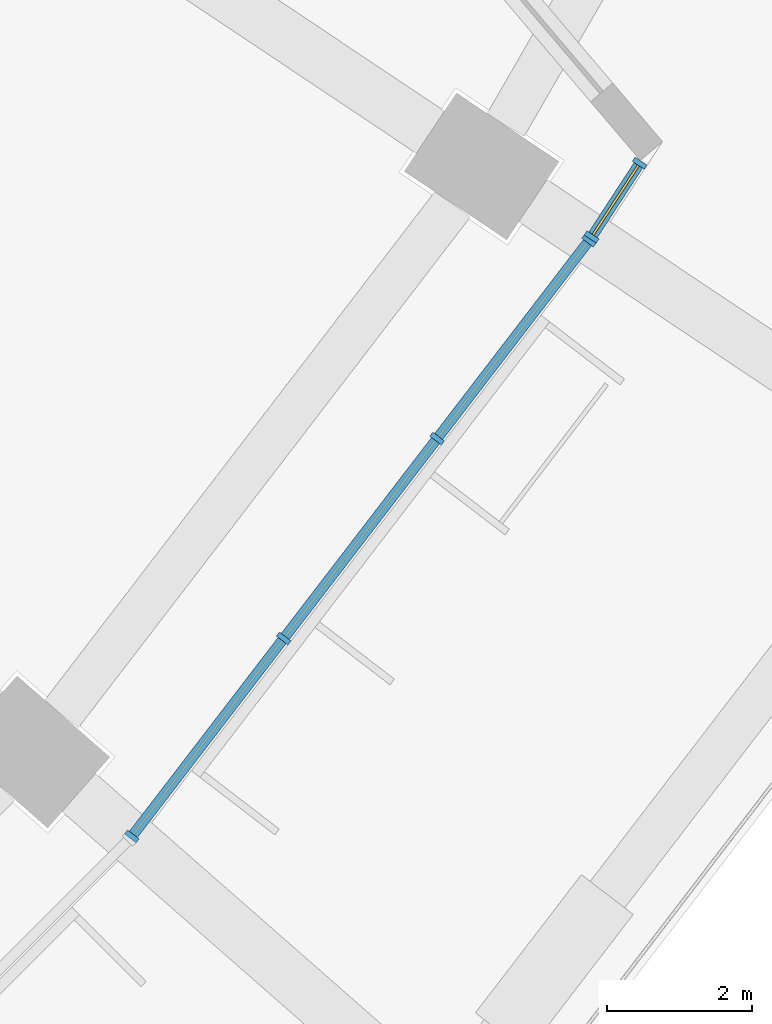
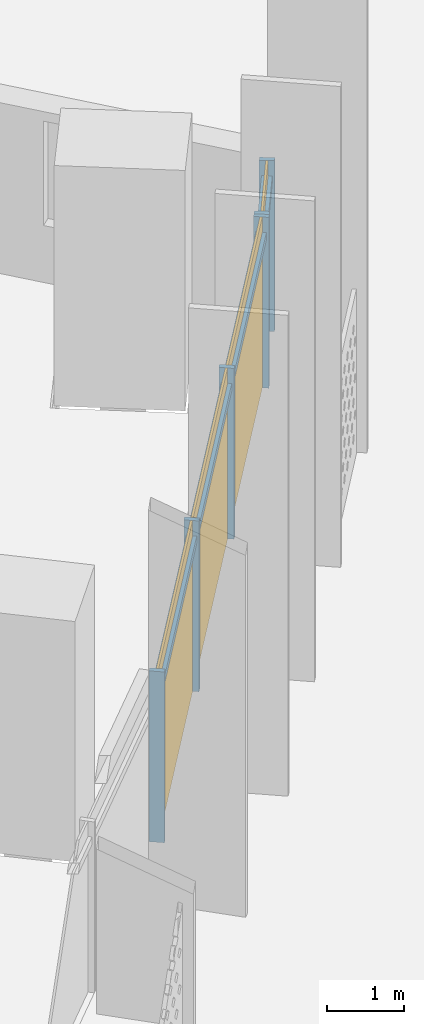
# One storey, part 23 of 35: 10 members, 2 curtain walls.
"""IFC4 building model written with IfcOpenShell, lengths in metres."""

import ifcopenshell
import ifcopenshell.guid

model = None  # the IFC model being written
_history = None  # IfcOwnerHistory: only IFC2X3 demands one
_inside = {}  # id of a spatial element -> (the spatial element, [elements in it])
_under = {}  # id of a project, library or spatial element -> (it, [spatial elements below it])
_declared = {}  # id of a project -> (the project, [libraries it declares])
_typed = {}  # id of a type object -> (the type object, [elements of that type])
_made_of = {}  # id of a material, layer set ... -> (it, [elements and type objects made of it])


def new_model(schema):
    """Start an empty IFC model of exactly this schema.

    Asked for "IFC4X3", IfcOpenShell would pick the latest addendum, in which some entities
    have other attributes; the version numbers below select the first issue.
    IFC2X3 requires an IfcOwnerHistory on every rooted entity: one is made here for all.
    """
    global model, _history
    if schema == "IFC4X3":
        model = ifcopenshell.file(schema_version=(4, 3, 0, 0))
    else:
        model = ifcopenshell.file(schema=schema)
    _inside.clear()
    _under.clear()
    _declared.clear()
    _typed.clear()
    _made_of.clear()
    _history = None
    if model.schema == "IFC2X3":
        org = make("IfcOrganization", Name="unknown")
        user = make(
            "IfcPersonAndOrganization",
            ThePerson=make("IfcPerson", FamilyName="unknown"),
            TheOrganization=org,
        )
        app = make(
            "IfcApplication",
            ApplicationDeveloper=org,
            Version="unknown",
            ApplicationFullName="unknown",
            ApplicationIdentifier="unknown",
        )
        _history = make(
            "IfcOwnerHistory",
            OwningUser=user,
            OwningApplication=app,
            ChangeAction="ADDED",
            CreationDate=0,
        )
    return model


def make(cls, **values):
    """One entity of the class cls with the attributes given. An attribute that is None is left unset."""
    return model.create_entity(
        cls, **{name: value for name, value in values.items() if value is not None}
    )


def rooted(cls, **values):
    """An entity with a GlobalId (a new one), such as an element, a storey or a relation."""
    return make(cls, GlobalId=ifcopenshell.guid.new(), OwnerHistory=_history, **values)


def si_unit(unit_type, name, prefix=None):
    """IfcSIUnit, for example si_unit("LENGTHUNIT", "METRE", prefix="MILLI")."""
    return make("IfcSIUnit", UnitType=unit_type, Prefix=prefix, Name=name)


def assignment(units):
    """IfcUnitAssignment: the units of a project."""
    return None if units is None else make("IfcUnitAssignment", Units=units)


def point(xyz):
    """IfcCartesianPoint."""
    return None if xyz is None else make("IfcCartesianPoint", Coordinates=xyz)


def direction(xyz):
    """IfcDirection."""
    return None if xyz is None else make("IfcDirection", DirectionRatios=xyz)


def frame(location, z_axis=None, x_axis=None):
    """IfcAxis2Placement3D, a coordinate frame: its origin and axes. An axis left out is left unset."""
    return make(
        "IfcAxis2Placement3D",
        Location=point(location),
        Axis=direction(z_axis),
        RefDirection=direction(x_axis),
    )


def frame_2d(location, x_axis=None):
    """IfcAxis2Placement2D, a coordinate frame in the plane: its origin and x axis."""
    return make(
        "IfcAxis2Placement2D", Location=point(location), RefDirection=direction(x_axis)
    )


def origin():
    """The frame at (0, 0, 0) with its axes left unset."""
    return frame((0.0, 0.0, 0.0))


def origin_2d():
    """The frame at (0, 0) in the plane with its x axis left unset."""
    return frame_2d((0.0, 0.0))


def place(relative_to, where):
    """IfcLocalPlacement: puts the frame where relative to a parent placement (None: the world)."""
    return make(
        "IfcLocalPlacement", PlacementRelTo=relative_to, RelativePlacement=where
    )


def context(
    kind, dimensions, precision=None, world=None, true_north=None, identifier=None
):
    """IfcGeometricRepresentationContext, for example the 3D "Model" context."""
    return make(
        "IfcGeometricRepresentationContext",
        ContextIdentifier=identifier,
        ContextType=kind,
        CoordinateSpaceDimension=dimensions,
        Precision=precision,
        WorldCoordinateSystem=world,
        TrueNorth=true_north,
    )


def subcontext(parent, identifier, kind, view, scale=None):
    """IfcGeometricRepresentationSubContext, for example "Body" below "Model"."""
    return make(
        "IfcGeometricRepresentationSubContext",
        ContextIdentifier=identifier,
        ContextType=kind,
        ParentContext=parent,
        TargetScale=scale,
        TargetView=view,
    )


def project(units=None, contexts=None):
    """IfcProject with its units and contexts."""
    return rooted(
        "IfcProject",
        Name="project",
        RepresentationContexts=contexts,
        UnitsInContext=assignment(units),
    )


def spatial(cls, under=None, at=None, **own):
    """A site, building, storey or space (cls), placed at a placement, below another one or the project."""
    s = rooted(cls, ObjectPlacement=at, **own)
    if under is not None:
        _under.setdefault(under.id(), (under, []))[1].append(s)
    return s


def profile(cls, at=None, kind="AREA", **sizes):
    """A parametric profile (cls). Its sizes go by their IFC names, for example OverallWidth=200.0."""
    return make(cls, ProfileType=kind, Position=at, **sizes)


def rectangle(**sizes):
    """IfcRectangleProfileDef."""
    return profile("IfcRectangleProfileDef", **sizes)


def extrude(swept, where, along, depth):
    """IfcExtrudedAreaSolid: the profile swept, set in the frame where, extruded along a direction by depth."""
    return make(
        "IfcExtrudedAreaSolid",
        SweptArea=swept,
        Position=where,
        ExtrudedDirection=direction(along),
        Depth=depth,
    )


def shape(context_of_items, identifier, shape_type, items):
    """IfcShapeRepresentation: the items that make up one representation, for example the "Body"."""
    return make(
        "IfcShapeRepresentation",
        ContextOfItems=context_of_items,
        RepresentationIdentifier=identifier,
        RepresentationType=shape_type,
        Items=items,
    )


def material(Name=None, Category=None):
    """IfcMaterial."""
    return make("IfcMaterial", Name=Name, Category=Category)


def material_profile(
    of_material, cross_section, Name=None, Category=None, Priority=None
):
    """IfcMaterialProfile: a cross section and its material."""
    return make(
        "IfcMaterialProfile",
        Name=Name,
        Material=of_material,
        Profile=cross_section,
        Priority=Priority,
        Category=Category,
    )


def profile_set(profiles, Name=None, composite=None):
    """IfcMaterialProfileSet."""
    return make(
        "IfcMaterialProfileSet",
        Name=Name,
        MaterialProfiles=profiles,
        CompositeProfile=composite,
    )


def made_of(thing, what):
    """Note that an element or type object is made of a material, layer set ...; save() writes the relation."""
    if what is not None:
        _made_of.setdefault(what.id(), (what, []))[1].append(thing)
    return thing


def type_object(cls, material=None, **own):
    """A type object (cls), such as IfcWallType, which elements share."""
    return made_of(rooted(cls, **own), material)


def element(
    cls,
    number,
    at=None,
    inside=None,
    cuts=None,
    type_object=None,
    material=None,
    context=None,
    identifier="Body",
    shape_type=None,
    held_by="IfcProductDefinitionShape",
    body=None,
    shapes=None,
    **own,
):
    """One element of the class cls, such as IfcWall. Its Tag is "e" and its number.

    at: its placement. inside: the storey or other place that contains it. cuts: it is an
    opening in that element (IfcRelVoidsElement). A single representation is given by context,
    identifier, shape_type and body (its items); several are given by shapes. held_by: the class
    of the entity that holds the representations. save() writes the other relations.
    """
    e = rooted(cls, Tag="e%d" % number, ObjectPlacement=at, **own)
    if body is not None:
        shapes = [shape(context, identifier, shape_type, body)]
    if shapes is not None:
        e.Representation = make(held_by, Representations=shapes)
    if inside is not None:
        _inside.setdefault(inside.id(), (inside, []))[1].append(e)
    if cuts is not None:
        rooted(
            "IfcRelVoidsElement", RelatingBuildingElement=cuts, RelatedOpeningElement=e
        )
    if type_object is not None:
        _typed.setdefault(type_object.id(), (type_object, []))[1].append(e)
    return made_of(e, material)


def aggregate(whole, parts):
    """IfcRelAggregates: a whole, such as a stair, and the parts it consists of."""
    return rooted("IfcRelAggregates", RelatingObject=whole, RelatedObjects=parts)


def save(model, path):
    """Write the relations noted so far, then the file.

    IfcRelAggregates (storeys below a building ...), IfcRelContainedInSpatialStructure (elements
    in a storey), IfcRelDefinesByType, IfcRelAssociatesMaterial and IfcRelDeclares: one each for
    every whole, place, type object, material and project.
    """
    for whole, parts in _under.values():
        aggregate(whole, parts)
    for where, things in _inside.values():
        rooted(
            "IfcRelContainedInSpatialStructure",
            RelatedElements=things,
            RelatingStructure=where,
        )
    for kind, things in _typed.values():
        rooted("IfcRelDefinesByType", RelatedObjects=things, RelatingType=kind)
    for what, things in _made_of.values():
        rooted("IfcRelAssociatesMaterial", RelatedObjects=things, RelatingMaterial=what)
    for by, libraries in _declared.values():
        rooted("IfcRelDeclares", RelatingContext=by, RelatedDefinitions=libraries)
    model.write(path)


model = new_model("IFC4")

# Units and contexts
model_context = context("Model", 3, precision=1e-05, world=origin(), true_north=direction((0.0, 1.0)))
body_context = subcontext(model_context, "Body", "Model", "MODEL_VIEW")
ifc_project = project(units=[si_unit("LENGTHUNIT", "METRE"), si_unit("AREAUNIT", "SQUARE_METRE"), si_unit("VOLUMEUNIT", "CUBIC_METRE"), si_unit("PLANEANGLEUNIT", "RADIAN"), si_unit("MASSUNIT", "GRAM", prefix="KILO")], contexts=[model_context])

# Member
ifc_material = material(Name="Aluminium 6063-T6 anodised", Category="aluminium")
ifc_material_profile_1 = material_profile(ifc_material, rectangle(XDim=0.199951171875, YDim=0.070068359375, at=origin_2d()))
ifc_profile_set_1 = profile_set([ifc_material_profile_1], Name="Aluminium 6063-T6 anodised")
member_type_1 = type_object("IfcMemberType", Name="Mullion 70 x 200 aluminium", PredefinedType="MULLION", material=ifc_profile_set_1)
site_placement = place(None, origin())
building_placement = place(site_placement, origin())
storey_placement = place(building_placement, frame((0.0, 0.0, 40.5)))
member_1_placement = place(storey_placement, frame((59.825927734375, -52.42822265625, 0.0), z_axis=(0.0, 0.0, 1.0), x_axis=(-0.793353340291, 0.608761429009, 0.0)))
member_1 = element("IfcMember", 1, at=member_1_placement, type_object=member_type_1, Name="e-cw1-L06-out15/M00", PredefinedType="MULLION", context=body_context, shape_type="SweptSolid", body=[
    extrude(rectangle(XDim=0.199951171875, YDim=0.070068359375, at=origin_2d()), origin(), (0.0, 0.0, 1.0), 2.699951171875),
])

member_2_placement = place(storey_placement, frame((61.9189453125, -49.70068359375, 0.0), z_axis=(0.0, 0.0, 1.0), x_axis=(-0.793353340291, 0.608761429009, 0.0)))
member_2 = element("IfcMember", 2, at=member_2_placement, type_object=member_type_1, Name="e-cw1-L06-out15/M01", PredefinedType="MULLION", context=body_context, shape_type="SweptSolid", body=[
    extrude(rectangle(XDim=0.199951171875, YDim=0.070068359375, at=origin_2d()), origin(), (0.0, 0.0, 1.0), 2.699951171875),
])

member_3_placement = place(storey_placement, frame((64.032958984375, -46.945556640625, 0.0), z_axis=(0.0, 0.0, 1.0), x_axis=(-0.793353340291, 0.608761429009, 0.0)))
member_3 = element("IfcMember", 3, at=member_3_placement, type_object=member_type_1, Name="e-cw1-L06-out15/M02", PredefinedType="MULLION", context=body_context, shape_type="SweptSolid", body=[
    extrude(rectangle(XDim=0.199951171875, YDim=0.070068359375, at=origin_2d()), origin(), (0.0, 0.0, 1.0), 2.699951171875),
])

member_4_placement = place(storey_placement, frame((66.1259765625, -44.218017578125, 0.0), z_axis=(0.0, 0.0, 1.0), x_axis=(-0.793353340291, 0.608761429009, 0.0)))
member_4 = element("IfcMember", 4, at=member_4_placement, type_object=member_type_1, Name="e-cw1-L06-out15/M03", PredefinedType="MULLION", context=body_context, shape_type="SweptSolid", body=[
    extrude(rectangle(XDim=0.199951171875, YDim=0.070068359375, at=origin_2d()), origin(), (0.0, 0.0, 1.0), 2.699951171875),
])

member_5_placement = place(storey_placement, frame((66.161865234375, -44.167236328125, 0.0), z_axis=(0.0, 0.0, 1.0), x_axis=(-0.837241833838, 0.546832800472, 0.0)))
member_5 = element("IfcMember", 5, at=member_5_placement, type_object=member_type_1, Name="e-cw1-L06-out16/M00", PredefinedType="MULLION", context=body_context, shape_type="SweptSolid", body=[
    extrude(rectangle(XDim=0.199951171875, YDim=0.070068359375, at=origin_2d()), origin(), (0.0, 0.0, 1.0), 2.699951171875),
])

member_6_placement = place(storey_placement, frame((66.825439453125, -43.1513671875, 0.0), z_axis=(0.0, 0.0, 1.0), x_axis=(-0.837241833838, 0.546832800472, 0.0)))
member_6 = element("IfcMember", 6, at=member_6_placement, type_object=member_type_1, Name="e-cw1-L06-out16/M01", PredefinedType="MULLION", context=body_context, shape_type="SweptSolid", body=[
    extrude(rectangle(XDim=0.199951171875, YDim=0.070068359375, at=origin_2d()), origin(), (0.0, 0.0, 1.0), 2.699951171875),
])

ifc_material_profile_2 = material_profile(ifc_material, rectangle(XDim=0.139892578125, YDim=0.1201171875, at=origin_2d()))
ifc_profile_set_2 = profile_set([ifc_material_profile_2], Name="Aluminium 6063-T6 anodised")
member_type_2 = type_object("IfcMemberType", Name="Transom 120 x 140 aluminium", PredefinedType="USERDEFINED", material=ifc_profile_set_2)
member_7_placement = place(storey_placement, frame((59.847412109375, -52.400390625, 2.39990234375), z_axis=(0.608732839803, 0.793375276742, 0.0), x_axis=(-0.793375276742, 0.608732839803, 0.0)))
member_7 = element("IfcMember", 7, at=member_7_placement, type_object=member_type_2, Name="e-cw1-L06-out15/T00", ObjectType="TRANSOM", PredefinedType="USERDEFINED", context=body_context, shape_type="SweptSolid", body=[
    extrude(rectangle(XDim=0.139892578125, YDim=0.1201171875, at=origin_2d()), origin(), (0.0, 0.0, 1.0), 3.36767578125),
])

member_8_placement = place(storey_placement, frame((61.940185546875, -49.673095703125, 2.39990234375), z_axis=(0.60875683052, 0.793356868815, 0.0), x_axis=(-0.793356868815, 0.60875683052, 0.0)))
member_8 = element("IfcMember", 8, at=member_8_placement, type_object=member_type_2, Name="e-cw1-L06-out15/T01", ObjectType="TRANSOM", PredefinedType="USERDEFINED", context=body_context, shape_type="SweptSolid", body=[
    extrude(rectangle(XDim=0.139892578125, YDim=0.1201171875, at=origin_2d()), origin(), (0.0, 0.0, 1.0), 3.40283203125),
])

member_9_placement = place(storey_placement, frame((64.054443359375, -46.917724609375, 2.39990234375), z_axis=(0.608732839803, 0.793375276742, 0.0), x_axis=(-0.793375276742, 0.608732839803, 0.0)))
member_9 = element("IfcMember", 9, at=member_9_placement, type_object=member_type_2, Name="e-cw1-L06-out15/T02", ObjectType="TRANSOM", PredefinedType="USERDEFINED", context=body_context, shape_type="SweptSolid", body=[
    extrude(rectangle(XDim=0.139892578125, YDim=0.1201171875, at=origin_2d()), origin(), (0.0, 0.0, 1.0), 3.36767578125),
])

member_10_placement = place(storey_placement, frame((66.18115234375, -44.137939453125, 2.39990234375), z_axis=(0.546691131279, 0.837334345994, 0.0), x_axis=(-0.837334345994, 0.546691131279, 0.0)))
member_10 = element("IfcMember", 10, at=member_10_placement, type_object=member_type_2, Name="e-cw1-L06-out16/T00", ObjectType="TRANSOM", PredefinedType="USERDEFINED", context=body_context, shape_type="SweptSolid", body=[
    extrude(rectangle(XDim=0.139892578125, YDim=0.1201171875, at=origin_2d()), origin(), (0.0, 0.0, 1.0), 1.143310546875),
])

# Site, building, storey
site = spatial("IfcSite", under=ifc_project, at=site_placement, CompositionType="ELEMENT")
building = spatial("IfcBuilding", under=site, at=building_placement, Name="Qamariyya Broadcast Tower", CompositionType="ELEMENT")
storey = spatial("IfcBuildingStorey", under=building, at=storey_placement, Name="L06", CompositionType="ELEMENT", Elevation=40.5)

# Curtain wall
curtain_wall_type = type_object("IfcCurtainWallType", Name="Unitised curtain wall, anodised aluminium", PredefinedType="NOTDEFINED", material=ifc_material)
curtain_wall_1_placement = place(storey_placement, origin())
curtain_wall_1 = element("IfcCurtainWall", 11, at=curtain_wall_1_placement, inside=storey, type_object=curtain_wall_type, Name="e-cw1-L06-out15", PredefinedType="NOTDEFINED", context=body_context, shape_type="SweptSolid", body=[
    extrude(rectangle(XDim=3.367919921875, YDim=0.031982421875, at=origin_2d()), frame((60.872314453125, -51.064453125, 0.0), x_axis=(0.608755679475, 0.79335775203, 0.0)), (0.0, 0.0, 1.0), 2.340087890625),
    extrude(rectangle(XDim=3.367919921875, YDim=0.031982421875, at=origin_2d()), frame((60.872314453125, -51.064453125, 2.4599609375), x_axis=(0.608755679475, 0.79335775203, 0.0)), (0.0, 0.0, 1.0), 0.239990234375),
    extrude(rectangle(XDim=3.40283203125, YDim=0.031982421875, at=origin_2d()), frame((62.97607421875, -48.3232421875, 0.0), x_axis=(0.608755679475, 0.79335775203, 0.0)), (0.0, 0.0, 1.0), 2.340087890625),
    extrude(rectangle(XDim=3.40283203125, YDim=0.031982421875, at=origin_2d()), frame((62.97607421875, -48.3232421875, 2.4599609375), x_axis=(0.608755679475, 0.79335775203, 0.0)), (0.0, 0.0, 1.0), 0.239990234375),
    extrude(rectangle(XDim=3.367919921875, YDim=0.031982421875, at=origin_2d()), frame((65.07958984375, -45.581787109375, 0.0), x_axis=(0.608755679475, 0.79335775203, 0.0)), (0.0, 0.0, 1.0), 2.340087890625),
    extrude(rectangle(XDim=3.367919921875, YDim=0.031982421875, at=origin_2d()), frame((65.07958984375, -45.581787109375, 2.4599609375), x_axis=(0.608755679475, 0.79335775203, 0.0)), (0.0, 0.0, 1.0), 0.239990234375),
])

aggregate(curtain_wall_1, [member_1, member_2, member_3, member_4, member_7, member_8, member_9])

curtain_wall_2_placement = place(storey_placement, origin())
curtain_wall_2 = element("IfcCurtainWall", 12, at=curtain_wall_2_placement, inside=storey, type_object=curtain_wall_type, Name="e-cw1-L06-out16", PredefinedType="NOTDEFINED", context=body_context, shape_type="SweptSolid", body=[
    extrude(rectangle(XDim=1.143310546875, YDim=0.031982421875, at=origin_2d()), frame((66.49365234375, -43.6591796875, 0.0), x_axis=(0.546772570063, 0.837281169397, 0.0)), (0.0, 0.0, 1.0), 2.340087890625),
    extrude(rectangle(XDim=1.143310546875, YDim=0.031982421875, at=origin_2d()), frame((66.49365234375, -43.6591796875, 2.4599609375), x_axis=(0.546772570063, 0.837281169397, 0.0)), (0.0, 0.0, 1.0), 0.239990234375),
])

aggregate(curtain_wall_2, [member_5, member_6, member_10])

save(model, "model.ifc")
